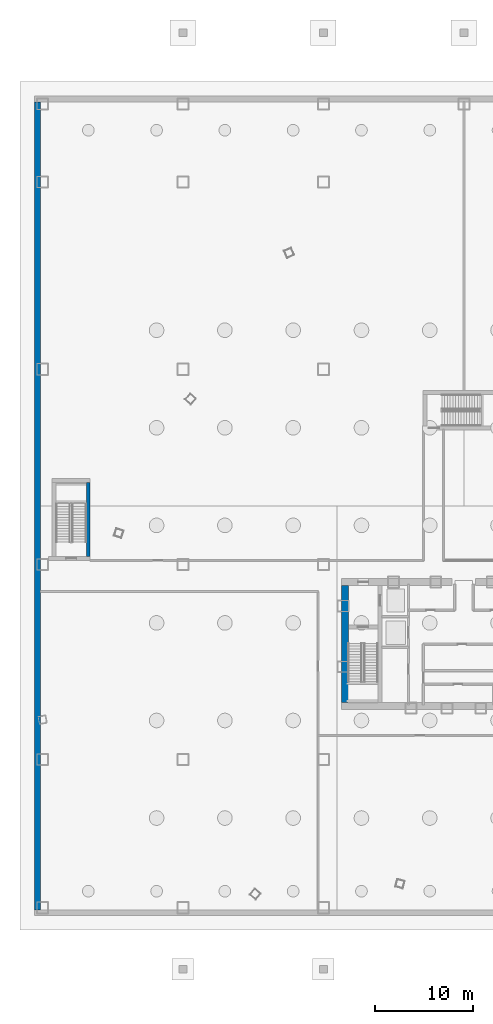
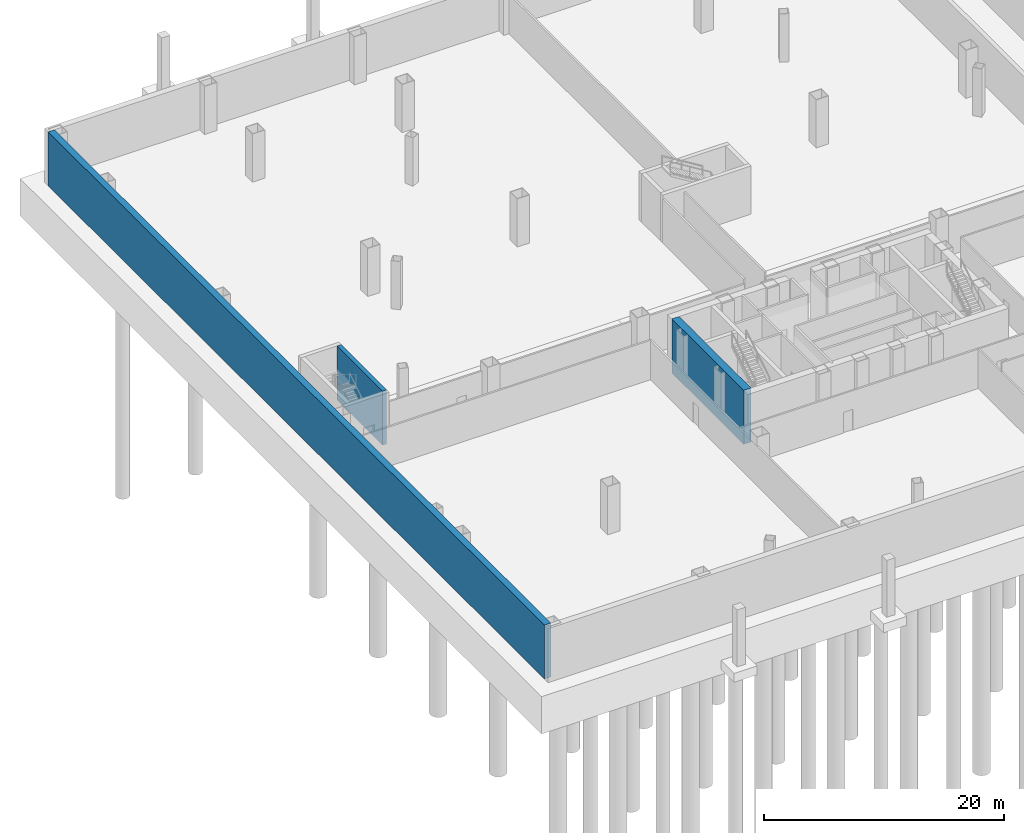
# One storey, part 8 of 15: 3 walls.
"""IFC4 building model written with IfcOpenShell, lengths in metres."""

from ifc_helpers import new_model, si_unit, direction, frame, frame_2d, origin, place, context, subcontext, project, spatial, rectangle, extrude, material, layer, layer_set, type_object, element, save


model = new_model("IFC4")

# Units and contexts
model_context = context("Model", 3, precision=1e-05, world=origin(), true_north=direction((0.0, 1.0)))
body_context = subcontext(model_context, "Body", "Model", "MODEL_VIEW")
ifc_project = project(units=[si_unit("LENGTHUNIT", "METRE"), si_unit("AREAUNIT", "SQUARE_METRE"), si_unit("VOLUMEUNIT", "CUBIC_METRE"), si_unit("PLANEANGLEUNIT", "RADIAN"), si_unit("MASSUNIT", "GRAM", prefix="KILO"), si_unit("THERMODYNAMICTEMPERATUREUNIT", "KELVIN"), si_unit("POWERUNIT", "WATT")], contexts=[model_context])

# Site, building, storey
site_placement = place(None, origin())
site = spatial("IfcSite", under=ifc_project, at=site_placement, CompositionType="ELEMENT")
building_placement = place(site_placement, origin())
building = spatial("IfcBuilding", under=site, at=building_placement, Name="Yunzhuo Pagoda Commons", CompositionType="ELEMENT")
storey_placement = place(building_placement, frame((0.0, 0.0, -10.0)))
storey = spatial("IfcBuildingStorey", under=building, at=storey_placement, Name="B02", CompositionType="ELEMENT", Elevation=-10.0)

# Walls
ifc_material_1 = material(Name="Concrete C50", Category="concrete")
ifc_layer_1 = layer(ifc_material_1, 0.60009765625)
ifc_layer_set_1 = layer_set([ifc_layer_1], Name="Concrete C50")
wall_type_1 = type_object("IfcWallType", Name="W-B01 Basement Perimeter Retaining Wall 600", PredefinedType="SHEAR", material=ifc_layer_set_1)
wall_1_placement = place(storey_placement, frame((4.300048828125, 6.60009765625, -0.60009765625), z_axis=(0.0, 0.0, 1.0), x_axis=(0.0, 1.0, 0.0)))
element("IfcWall", 1, at=wall_1_placement, inside=storey, type_object=wall_type_1, Name="B02 W basement retaining wall", PredefinedType="SHEAR", context=body_context, shape_type="SweptSolid", body=[
    extrude(rectangle(XDim=82.7998046875, YDim=0.60009765625, at=frame_2d((41.39990234375, 0.0))), origin(), (0.0, 0.0, 1.0), 5.5),
])
ifc_material_2 = material(Name="Concrete C60", Category="concrete")
ifc_layer_2 = layer(ifc_material_2, 0.699951171875)
ifc_layer_set_2 = layer_set([ifc_layer_2], Name="Concrete C60")
wall_type_2 = type_object("IfcWallType", Name="W-C01 Lower Core Shear Wall 700", PredefinedType="SHEAR", material=ifc_layer_set_2)
wall_2_placement = place(storey_placement, frame((35.800048828125, 27.85009765625, -0.60009765625), z_axis=(0.0, 0.0, 1.0), x_axis=(0.0, 1.0, 0.0)))
element("IfcWall", 2, at=wall_2_placement, inside=storey, type_object=wall_type_2, Name="B02 core shear wall W", PredefinedType="SHEAR", context=body_context, shape_type="SweptSolid", body=[
    extrude(rectangle(XDim=12.0, YDim=0.699951171875, at=frame_2d((6.0, 0.0))), origin(), (0.0, 0.0, 1.0), 5.5),
])
ifc_layer_3 = layer(ifc_material_2, 0.39990234375)
ifc_layer_set_3 = layer_set([ifc_layer_3], Name="Concrete C60")
wall_type_3 = type_object("IfcWallType", Name="W-S01 Internal Core Shear Web 400", PredefinedType="SHEAR", material=ifc_layer_set_3)
wall_3_placement = place(storey_placement, frame((9.5, 42.800048828125, -0.60009765625), z_axis=(0.0, 0.0, 1.0), x_axis=(0.0, 1.0, 0.0)))
element("IfcWall", 3, at=wall_3_placement, inside=storey, type_object=wall_type_3, Name="B02 PS3 structural stair wall E", PredefinedType="SHEAR", context=body_context, shape_type="SweptSolid", body=[
    extrude(rectangle(XDim=7.599853515625, YDim=0.39990234375, at=frame_2d((3.7998046875, 0.0))), origin(), (0.0, 0.0, 1.0), 5.5),
])

save(model, "model.ifc")
